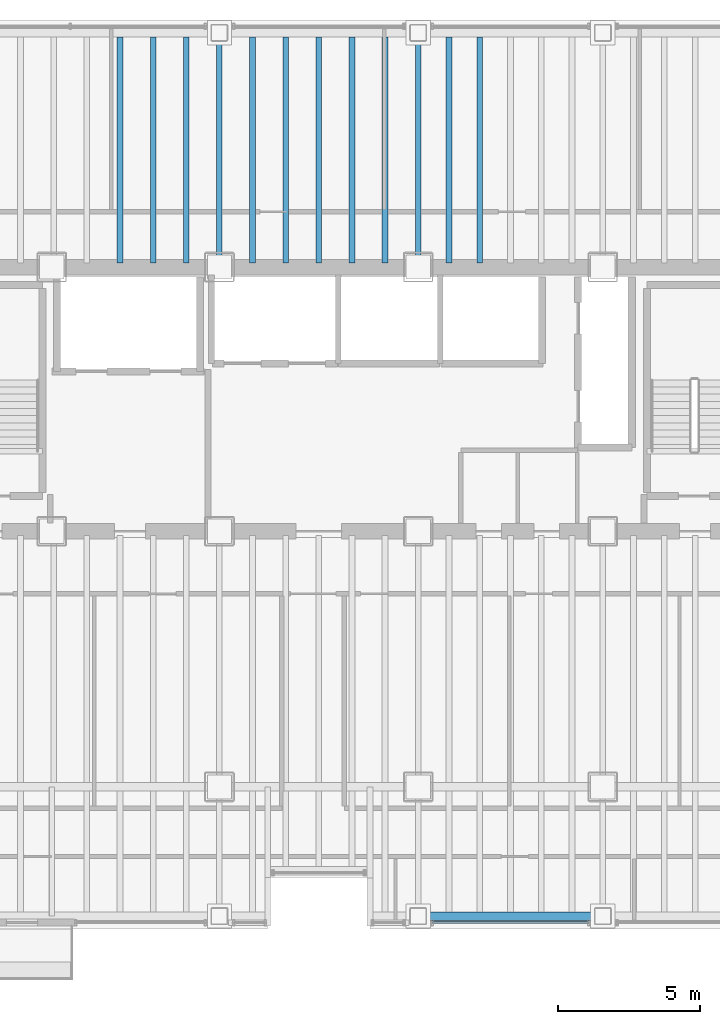
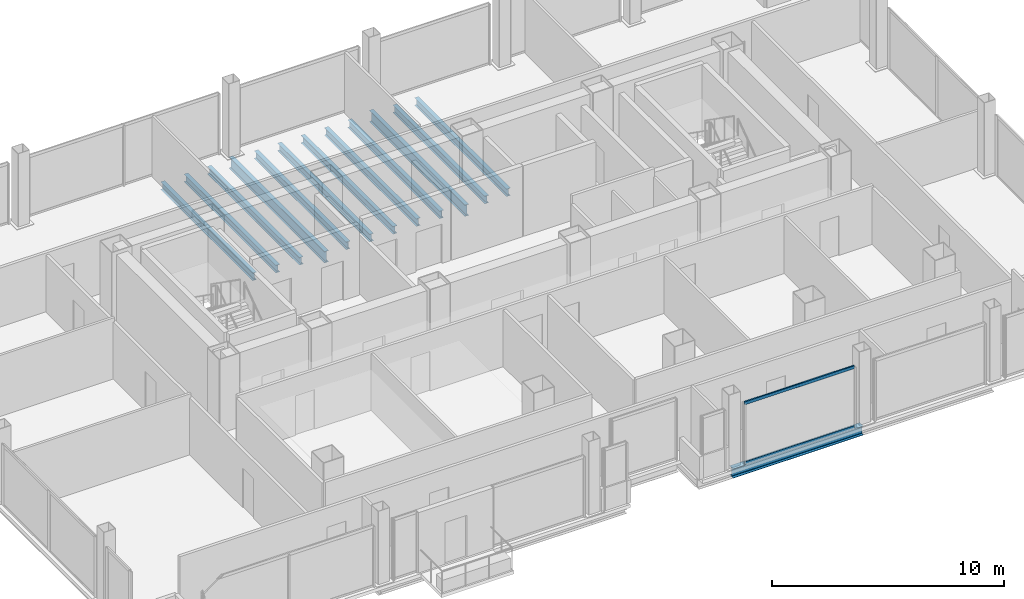
# One storey, part 8 of 21: 13 beams, 2 members, 1 element without a shape of its own.
"""IFC4 building model written with IfcOpenShell, lengths in metres."""

from ifc_helpers import new_model, si_unit, direction, frame, origin, origin_2d, place, context, subcontext, project, spatial, hollow_rectangle, i_section, extrude, material, material_profile, profile_set, type_object, element, aggregate, save


model = new_model("IFC4")

# Units and contexts
model_context = context("Model", 3, precision=1e-05, world=origin(), true_north=direction((0.0, 1.0)))
body_context = subcontext(model_context, "Body", "Model", "MODEL_VIEW")
ifc_project = project(units=[si_unit("LENGTHUNIT", "METRE"), si_unit("AREAUNIT", "SQUARE_METRE"), si_unit("VOLUMEUNIT", "CUBIC_METRE"), si_unit("PLANEANGLEUNIT", "RADIAN"), si_unit("MASSUNIT", "GRAM", prefix="KILO")], contexts=[model_context])

# Site, building, storey
site_placement = place(None, origin())
site = spatial("IfcSite", under=ifc_project, at=site_placement, CompositionType="ELEMENT")
building_placement = place(site_placement, origin())
building = spatial("IfcBuilding", under=site, at=building_placement, Name="Noeulbin Bourse Tower", CompositionType="ELEMENT")
storey_placement = place(building_placement, frame((0.0, 0.0, 34.300048828125)))
storey = spatial("IfcBuildingStorey", under=building, at=storey_placement, Name="L08", CompositionType="ELEMENT", Elevation=34.300048828125)

# Beams
ifc_material_1 = material(Name="Steel S355", Category="steel")
ifc_material_profile_1 = material_profile(ifc_material_1, i_section(OverallWidth=0.199951171875, OverallDepth=0.60009765625, WebThickness=0.010986328125, FlangeThickness=0.01708984375, FilletRadius=0.02197265625, at=origin_2d()), Name="H-600x200x11x17", Category="LoadBearing")
ifc_profile_set_1 = profile_set([ifc_material_profile_1], Name="Steel S355")
beam_type_1 = type_object("IfcBeamType", Name="BM-GRD-600", PredefinedType="USERDEFINED", material=ifc_profile_set_1)
for number, where, z_axis, x_axis, name in (
    (1, (24.0, 38.300048828125, -0.47998046875), (0.0, 1.0, 0.0), (-1.0, 0.0, 0.0), "Tower Primary Girder NS L08-2.4"),
    (2, (31.0, 38.300048828125, -0.47998046875), (0.0, 1.0, 0.0), (-1.0, 0.0, 0.0), "Tower Primary Girder NS L08-3.4"),
):
    element("IfcBeam", number, at=place(storey_placement, frame(where, z_axis=z_axis, x_axis=x_axis)), inside=storey, type_object=beam_type_1, Name=name, ObjectType="GIRDER", PredefinedType="USERDEFINED", context=body_context, shape_type="SweptSolid", body=[
        extrude(i_section(OverallWidth=0.199951171875, OverallDepth=0.60009765625, WebThickness=0.010986328125, FlangeThickness=0.01708984375, FilletRadius=0.02197265625, at=origin_2d()), origin(), (0.0, 0.0, 1.0), 8.25),
    ])
ifc_material_profile_2 = material_profile(ifc_material_1, i_section(OverallWidth=0.199951171875, OverallDepth=0.39990234375, WebThickness=0.008056640625, FlangeThickness=0.012939453125, FilletRadius=0.01611328125, at=origin_2d()), Name="H-400x200x8x13", Category="LoadBearing")
ifc_profile_set_2 = profile_set([ifc_material_profile_2], Name="Steel S355")
beam_type_2 = type_object("IfcBeamType", Name="BM-SEC-400", PredefinedType="BEAM", material=ifc_profile_set_2)
for number, where, z_axis, x_axis, name in (
    (3, (20.5, 38.449951171875, -0.380126953125), (0.0, 1.0, 0.0), (-1.0, 0.0, 0.0), "Tower Composite Joist L08-17"),
    (4, (21.666748046875, 38.449951171875, -0.380126953125), (0.0, 1.0, 0.0), (-1.0, 0.0, 0.0), "Tower Composite Joist L08-20"),
    (5, (22.833251953125, 38.449951171875, -0.380126953125), (0.0, 1.0, 0.0), (-1.0, 0.0, 0.0), "Tower Composite Joist L08-23"),
    (6, (25.166748046875, 38.449951171875, -0.380126953125), (0.0, 1.0, 0.0), (-1.0, 0.0, 0.0), "Tower Composite Joist L08-26"),
    (7, (26.333251953125, 38.449951171875, -0.380126953125), (0.0, 1.0, 0.0), (-1.0, 0.0, 0.0), "Tower Composite Joist L08-29"),
    (8, (27.5, 38.449951171875, -0.380126953125), (0.0, 1.0, 0.0), (-1.0, 0.0, 0.0), "Tower Composite Joist L08-32"),
    (9, (28.666748046875, 38.449951171875, -0.380126953125), (0.0, 1.0, 0.0), (-1.0, 0.0, 0.0), "Tower Composite Joist L08-35"),
    (10, (29.833251953125, 38.449951171875, -0.380126953125), (0.0, 1.0, 0.0), (-1.0, 0.0, 0.0), "Tower Composite Joist L08-38"),
    (11, (32.083251953125, 38.449951171875, -0.380126953125), (0.0, 1.0, 0.0), (-1.0, 0.0, 0.0), "Tower Composite Joist L08-41"),
    (12, (33.166748046875, 38.449951171875, -0.380126953125), (0.0, 1.0, 0.0), (-1.0, 0.0, 0.0), "Tower Composite Joist L08-44"),
):
    element("IfcBeam", number, at=place(storey_placement, frame(where, z_axis=z_axis, x_axis=x_axis)), inside=storey, type_object=beam_type_2, Name=name, PredefinedType="BEAM", context=body_context, shape_type="SweptSolid", body=[
        extrude(i_section(OverallWidth=0.199951171875, OverallDepth=0.39990234375, WebThickness=0.008056640625, FlangeThickness=0.012939453125, FilletRadius=0.01611328125, at=origin_2d()), origin(), (0.0, 0.0, 1.0), 7.949951171875),
    ])
ifc_material_profile_3 = material_profile(ifc_material_1, i_section(OverallWidth=0.300048828125, OverallDepth=0.488037109375, WebThickness=0.010986328125, FlangeThickness=0.01806640625, FilletRadius=0.02197265625, at=origin_2d()), Name="H-488x300x11x18", Category="LoadBearing")
ifc_profile_set_3 = profile_set([ifc_material_profile_3], Name="Steel S355")
beam_type_3 = type_object("IfcBeamType", Name="BM-SPN-488", PredefinedType="SPANDREL", material=ifc_profile_set_3)
beam_placement = place(storey_placement, frame((31.0, 15.449951171875, -0.424072265625), z_axis=(1.0, 0.0, 0.0), x_axis=(0.0, 1.0, 0.0)))
element("IfcBeam", 13, at=beam_placement, inside=storey, type_object=beam_type_3, Name="South Spandrel L08-3", PredefinedType="SPANDREL", context=body_context, shape_type="SweptSolid", body=[
    extrude(i_section(OverallWidth=0.300048828125, OverallDepth=0.488037109375, WebThickness=0.010986328125, FlangeThickness=0.01806640625, FilletRadius=0.02197265625, at=origin_2d()), origin(), (0.0, 0.0, 1.0), 6.5),
])

# Curtain wall, members
ifc_material_2 = material(Name="Dark Solar-Control Double Glazing", Category="glass")
curtain_wall_type = type_object("IfcCurtainWallType", Name="CW-SYS-2", PredefinedType="NOTDEFINED", material=ifc_material_2)
curtain_wall_placement = place(storey_placement, origin())
curtain_wall = element("IfcCurtainWall", 14, at=curtain_wall_placement, inside=storey, type_object=curtain_wall_type, Name="Unitised Curtain Wall CW-L08-S3-S2", PredefinedType="NOTDEFINED")
ifc_material_3 = material(Name="Anodised Aluminium 6063-T6", Category="aluminium")
ifc_material_profile_4 = material_profile(ifc_material_3, hollow_rectangle(XDim=0.074951171875, YDim=0.159912109375, WallThickness=0.0048828125, InnerFilletRadius=0.00244140625, OuterFilletRadius=0.0048828125, at=origin_2d()), Name="ALU-TRAN-75x160x5", Category="LoadBearing")
ifc_profile_set_4 = profile_set([ifc_material_profile_4], Name="Anodised Aluminium 6063-T6")
member_type = type_object("IfcMemberType", Name="CW-SYS-2-TRN", PredefinedType="USERDEFINED", material=ifc_profile_set_4)
member_1_placement = place(storey_placement, frame((31.510009765625, 15.219970703125, 0.010009765625), z_axis=(1.0, 0.0, 0.0), x_axis=(0.0, 1.0, 0.0)))
member_1 = element("IfcMember", 15, at=member_1_placement, type_object=member_type, Name="Curtain Wall Transom CW-L08-S3-S2-T00", ObjectType="TRANSOM", PredefinedType="USERDEFINED", context=body_context, shape_type="SweptSolid", body=[
    extrude(hollow_rectangle(XDim=0.074951171875, YDim=0.159912109375, WallThickness=0.0048828125, InnerFilletRadius=0.00244140625, OuterFilletRadius=0.0048828125, at=origin_2d()), origin(), (0.0, 0.0, 1.0), 5.47998046875),
])
member_2_placement = place(storey_placement, frame((31.510009765625, 15.219970703125, 3.169921875), z_axis=(1.0, 0.0, 0.0), x_axis=(0.0, 1.0, 0.0)))
member_2 = element("IfcMember", 16, at=member_2_placement, type_object=member_type, Name="Curtain Wall Transom CW-L08-S3-S2-T01", ObjectType="TRANSOM", PredefinedType="USERDEFINED", context=body_context, shape_type="SweptSolid", body=[
    extrude(hollow_rectangle(XDim=0.074951171875, YDim=0.159912109375, WallThickness=0.0048828125, InnerFilletRadius=0.00244140625, OuterFilletRadius=0.0048828125, at=origin_2d()), origin(), (0.0, 0.0, 1.0), 5.47998046875),
])
aggregate(curtain_wall, [member_1, member_2])

save(model, "model.ifc")
